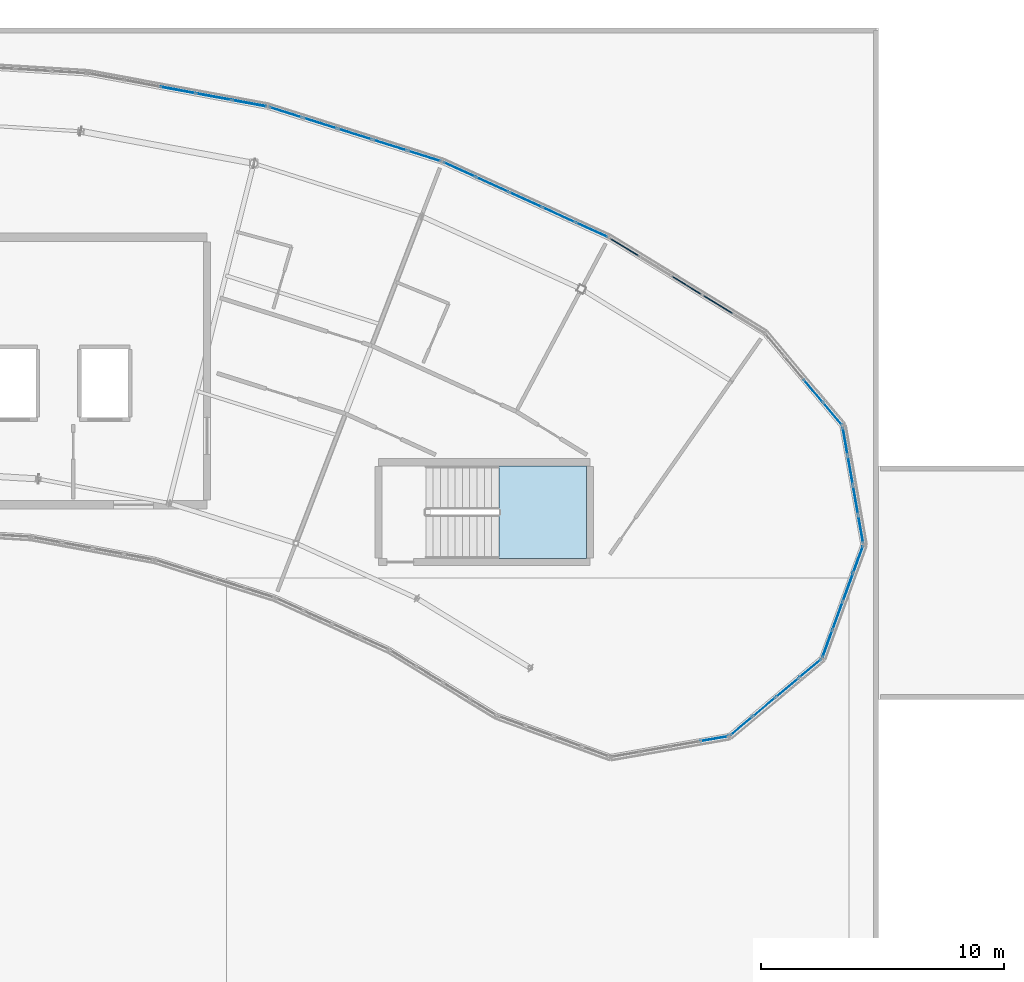
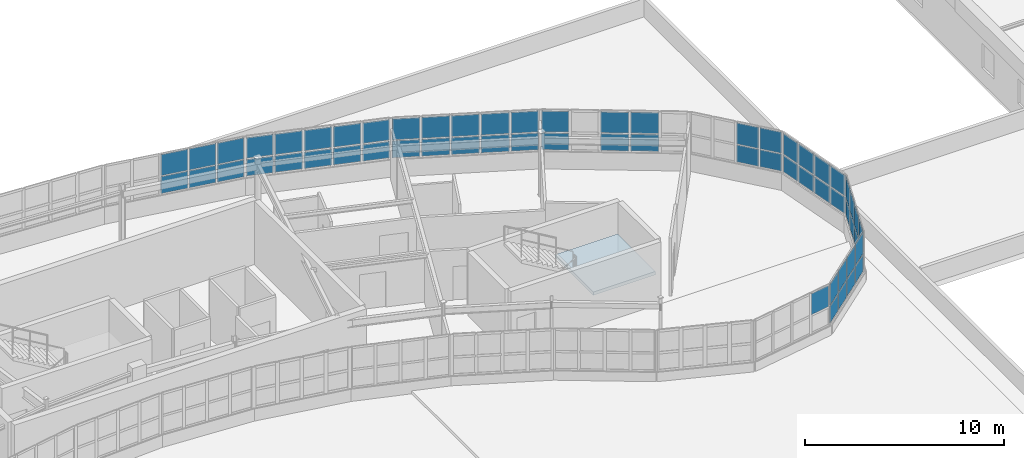
# One storey, part 78 of 128: 61 plates, 1 slab, 10 elements without a shape of their own.
"""IFC4 building model written with IfcOpenShell, lengths in metres."""

from ifc_helpers import new_model, si_unit, direction, frame, origin, origin_2d, place, context, subcontext, project, spatial, polyline, rectangle, outline, extrude, material, layer, layer_set, type_object, element, aggregate, save


model = new_model("IFC4")

# Units and contexts
model_context = context("Model", 3, precision=1e-05, world=origin(), true_north=direction((0.0, 1.0)))
body_context = subcontext(model_context, "Body", "Model", "MODEL_VIEW")
ifc_project = project(units=[si_unit("LENGTHUNIT", "METRE"), si_unit("AREAUNIT", "SQUARE_METRE"), si_unit("VOLUMEUNIT", "CUBIC_METRE"), si_unit("PLANEANGLEUNIT", "RADIAN"), si_unit("MASSUNIT", "GRAM", prefix="KILO")], contexts=[model_context])

# Site, building, storey
site_placement = place(None, origin())
site = spatial("IfcSite", under=ifc_project, at=site_placement, CompositionType="ELEMENT")
building_placement = place(site_placement, origin())
building = spatial("IfcBuilding", under=site, at=building_placement, Name="Tarnwether General Hospital", CompositionType="ELEMENT")
storey_placement = place(building_placement, frame((0.0, 0.0, 14.39990234375)))
storey = spatial("IfcBuildingStorey", under=building, at=storey_placement, Name="L03", CompositionType="ELEMENT", Elevation=14.39990234375)

# Curtain wall, plate
ifc_material_1 = material(Name="Anodised aluminium", Category="aluminium")
ifc_layer_1 = layer(ifc_material_1, 0.159912109375)
ifc_layer_set_1 = layer_set([ifc_layer_1], Name="Anodised aluminium")
curtain_wall_type_1 = type_object("IfcCurtainWallType", Name="CW-03", PredefinedType="NOTDEFINED", material=ifc_layer_set_1)
curtain_wall_1_placement = place(storey_placement, origin())
curtain_wall_1 = element("IfcCurtainWall", 1, at=curtain_wall_1_placement, inside=storey, type_object=curtain_wall_type_1, Name="Curtain Wall CWG-L03-1259_969-0017", PredefinedType="NOTDEFINED")
ifc_material_2 = material(Name="Double glazed low-E glass", Category="glass")
ifc_layer_2 = layer(ifc_material_2, 0.028076171875)
ifc_layer_set_2 = layer_set([ifc_layer_2], Name="Double glazed low-E glass")
plate_type_1 = type_object("IfcPlateType", Name="PT-CWP1", PredefinedType="CURTAIN_PANEL", material=ifc_layer_set_2)
plate_1_placement = place(storey_placement, frame((125.256591796875, 96.784423828125, 2.20947265625), z_axis=(0.0, 0.0, 1.0), x_axis=(-0.984805834268, -0.173659059054, 0.0)))
plate_1 = element("IfcPlate", 2, at=plate_1_placement, type_object=plate_type_1, Name="CW-03 panel 1.2", PredefinedType="CURTAIN_PANEL", context=body_context, shape_type="SweptSolid", body=[
    extrude(rectangle(XDim=1.15234375, YDim=0.028076171875, at=origin_2d()), origin(), (0.0, 0.0, 1.0), 1.29052734375),
])
aggregate(curtain_wall_1, [plate_1])

# Curtain wall, plates
curtain_wall_2_placement = place(storey_placement, origin())
curtain_wall_2 = element("IfcCurtainWall", 3, at=curtain_wall_2_placement, inside=storey, type_object=curtain_wall_type_1, Name="Curtain Wall CWG-L03-1297_1001-0018", PredefinedType="NOTDEFINED")
plate_2_placement = place(storey_placement, frame((129.20068359375, 99.679443359375, 1.1201171875), z_axis=(0.0, 0.0, 1.0), x_axis=(-0.765990176896, -0.64285227611, 0.0)))
plate_2 = element("IfcPlate", 4, at=plate_2_placement, type_object=plate_type_1, Name="CW-03 panel 1.1", PredefinedType="CURTAIN_PANEL", context=body_context, shape_type="SweptSolid", body=[
    extrude(rectangle(XDim=1.137451171875, YDim=0.028076171875, at=origin_2d()), origin(), (0.0, 0.0, 1.0), 1.0244140625),
])
plate_3_placement = place(storey_placement, frame((129.20068359375, 99.679443359375, 2.214599609375), z_axis=(0.0, 0.0, 1.0), x_axis=(-0.765990176896, -0.64285227611, 0.0)))
plate_3 = element("IfcPlate", 5, at=plate_3_placement, type_object=plate_type_1, Name="CW-03 panel 1.2", PredefinedType="CURTAIN_PANEL", context=body_context, shape_type="SweptSolid", body=[
    extrude(rectangle(XDim=1.137451171875, YDim=0.028076171875, at=origin_2d()), origin(), (0.0, 0.0, 1.0), 1.275390625),
])
plate_4_placement = place(storey_placement, frame((128.262451171875, 98.891845703125, 1.1201171875), z_axis=(0.0, 0.0, 1.0), x_axis=(-0.765990176896, -0.64285227611, 0.0)))
plate_4 = element("IfcPlate", 6, at=plate_4_placement, type_object=plate_type_1, Name="CW-03 panel 2.1", PredefinedType="CURTAIN_PANEL", context=body_context, shape_type="SweptSolid", body=[
    extrude(rectangle(XDim=1.172607421875, YDim=0.028076171875, at=origin_2d()), origin(), (0.0, 0.0, 1.0), 1.0244140625),
])
plate_5_placement = place(storey_placement, frame((128.262451171875, 98.891845703125, 2.214599609375), z_axis=(0.0, 0.0, 1.0), x_axis=(-0.765990176896, -0.64285227611, 0.0)))
plate_5 = element("IfcPlate", 7, at=plate_5_placement, type_object=plate_type_1, Name="CW-03 panel 2.2", PredefinedType="CURTAIN_PANEL", context=body_context, shape_type="SweptSolid", body=[
    extrude(rectangle(XDim=1.172607421875, YDim=0.028076171875, at=origin_2d()), origin(), (0.0, 0.0, 1.0), 1.275390625),
])
plate_6_placement = place(storey_placement, frame((127.310546875, 98.093017578125, 1.1201171875), z_axis=(0.0, 0.0, 1.0), x_axis=(-0.765990176896, -0.64285227611, 0.0)))
plate_6 = element("IfcPlate", 8, at=plate_6_placement, type_object=plate_type_1, Name="CW-03 panel 3.1", PredefinedType="CURTAIN_PANEL", context=body_context, shape_type="SweptSolid", body=[
    extrude(rectangle(XDim=1.172607421875, YDim=0.028076171875, at=origin_2d()), origin(), (0.0, 0.0, 1.0), 1.0244140625),
])
plate_7_placement = place(storey_placement, frame((127.310546875, 98.093017578125, 2.214599609375), z_axis=(0.0, 0.0, 1.0), x_axis=(-0.765990176896, -0.64285227611, 0.0)))
plate_7 = element("IfcPlate", 9, at=plate_7_placement, type_object=plate_type_1, Name="CW-03 panel 3.2", PredefinedType="CURTAIN_PANEL", context=body_context, shape_type="SweptSolid", body=[
    extrude(rectangle(XDim=1.172607421875, YDim=0.028076171875, at=origin_2d()), origin(), (0.0, 0.0, 1.0), 1.275390625),
])
plate_8_placement = place(storey_placement, frame((126.372314453125, 97.3056640625, 1.1201171875), z_axis=(0.0, 0.0, 1.0), x_axis=(-0.765990176896, -0.64285227611, 0.0)))
plate_8 = element("IfcPlate", 10, at=plate_8_placement, type_object=plate_type_1, Name="CW-03 panel 4.1", PredefinedType="CURTAIN_PANEL", context=body_context, shape_type="SweptSolid", body=[
    extrude(rectangle(XDim=1.137451171875, YDim=0.028076171875, at=origin_2d()), origin(), (0.0, 0.0, 1.0), 1.0244140625),
])
plate_9_placement = place(storey_placement, frame((126.372314453125, 97.3056640625, 2.214599609375), z_axis=(0.0, 0.0, 1.0), x_axis=(-0.765990176896, -0.64285227611, 0.0)))
plate_9 = element("IfcPlate", 11, at=plate_9_placement, type_object=plate_type_1, Name="CW-03 panel 4.2", PredefinedType="CURTAIN_PANEL", context=body_context, shape_type="SweptSolid", body=[
    extrude(rectangle(XDim=1.137451171875, YDim=0.028076171875, at=origin_2d()), origin(), (0.0, 0.0, 1.0), 1.275390625),
])
aggregate(curtain_wall_2, [plate_2, plate_3, plate_4, plate_5, plate_6, plate_7, plate_8, plate_9])

curtain_wall_3_placement = place(storey_placement, origin())
curtain_wall_3 = element("IfcCurtainWall", 12, at=curtain_wall_3_placement, inside=storey, type_object=curtain_wall_type_1, Name="Curtain Wall CWG-L03-1305_1097-0020", PredefinedType="NOTDEFINED")
plate_10_placement = place(storey_placement, frame((130.63818359375, 109.021484375, 1.1298828125), z_axis=(0.0, 0.0, 1.0), x_axis=(0.173463890135, -0.984840230098, 0.0)))
plate_10 = element("IfcPlate", 13, at=plate_10_placement, type_object=plate_type_1, Name="CW-03 panel 1.1", PredefinedType="CURTAIN_PANEL", context=body_context, shape_type="SweptSolid", body=[
    extrude(rectangle(XDim=1.122314453125, YDim=0.028076171875, at=origin_2d()), origin(), (0.0, 0.0, 1.0), 1.009521484375),
])
plate_11_placement = place(storey_placement, frame((130.63818359375, 109.021484375, 2.2197265625), z_axis=(0.0, 0.0, 1.0), x_axis=(0.173463890135, -0.984840230098, 0.0)))
plate_11 = element("IfcPlate", 14, at=plate_11_placement, type_object=plate_type_1, Name="CW-03 panel 1.2", PredefinedType="CURTAIN_PANEL", context=body_context, shape_type="SweptSolid", body=[
    extrude(rectangle(XDim=1.122314453125, YDim=0.028076171875, at=origin_2d()), origin(), (0.0, 0.0, 1.0), 1.260498046875),
])
plate_12_placement = place(storey_placement, frame((130.850341796875, 107.81787109375, 1.1298828125), z_axis=(0.0, 0.0, 1.0), x_axis=(0.173463890135, -0.984840230098, 0.0)))
plate_12 = element("IfcPlate", 15, at=plate_12_placement, type_object=plate_type_1, Name="CW-03 panel 2.1", PredefinedType="CURTAIN_PANEL", context=body_context, shape_type="SweptSolid", body=[
    extrude(rectangle(XDim=1.162353515625, YDim=0.028076171875, at=origin_2d()), origin(), (0.0, 0.0, 1.0), 1.009521484375),
])
plate_13_placement = place(storey_placement, frame((130.850341796875, 107.81787109375, 2.2197265625), z_axis=(0.0, 0.0, 1.0), x_axis=(0.173463890135, -0.984840230098, 0.0)))
plate_13 = element("IfcPlate", 16, at=plate_13_placement, type_object=plate_type_1, Name="CW-03 panel 2.2", PredefinedType="CURTAIN_PANEL", context=body_context, shape_type="SweptSolid", body=[
    extrude(rectangle(XDim=1.162353515625, YDim=0.028076171875, at=origin_2d()), origin(), (0.0, 0.0, 1.0), 1.260498046875),
])
plate_14_placement = place(storey_placement, frame((131.065673828125, 106.59423828125, 1.1298828125), z_axis=(0.0, 0.0, 1.0), x_axis=(0.173463890135, -0.984840230098, 0.0)))
plate_14 = element("IfcPlate", 17, at=plate_14_placement, type_object=plate_type_1, Name="CW-03 panel 3.1", PredefinedType="CURTAIN_PANEL", context=body_context, shape_type="SweptSolid", body=[
    extrude(rectangle(XDim=1.162353515625, YDim=0.028076171875, at=origin_2d()), origin(), (0.0, 0.0, 1.0), 1.009521484375),
])
plate_15_placement = place(storey_placement, frame((131.065673828125, 106.59423828125, 2.2197265625), z_axis=(0.0, 0.0, 1.0), x_axis=(0.173463890135, -0.984840230098, 0.0)))
plate_15 = element("IfcPlate", 18, at=plate_15_placement, type_object=plate_type_1, Name="CW-03 panel 3.2", PredefinedType="CURTAIN_PANEL", context=body_context, shape_type="SweptSolid", body=[
    extrude(rectangle(XDim=1.162353515625, YDim=0.028076171875, at=origin_2d()), origin(), (0.0, 0.0, 1.0), 1.260498046875),
])
plate_16_placement = place(storey_placement, frame((131.27783203125, 105.390380859375, 1.1298828125), z_axis=(0.0, 0.0, 1.0), x_axis=(0.173463890135, -0.984840230098, 0.0)))
plate_16 = element("IfcPlate", 19, at=plate_16_placement, type_object=plate_type_1, Name="CW-03 panel 4.1", PredefinedType="CURTAIN_PANEL", context=body_context, shape_type="SweptSolid", body=[
    extrude(rectangle(XDim=1.122314453125, YDim=0.028076171875, at=origin_2d()), origin(), (0.0, 0.0, 1.0), 1.009521484375),
])
plate_17_placement = place(storey_placement, frame((131.27783203125, 105.390380859375, 2.2197265625), z_axis=(0.0, 0.0, 1.0), x_axis=(0.173463890135, -0.984840230098, 0.0)))
plate_17 = element("IfcPlate", 20, at=plate_17_placement, type_object=plate_type_1, Name="CW-03 panel 4.2", PredefinedType="CURTAIN_PANEL", context=body_context, shape_type="SweptSolid", body=[
    extrude(rectangle(XDim=1.122314453125, YDim=0.028076171875, at=origin_2d()), origin(), (0.0, 0.0, 1.0), 1.260498046875),
])
aggregate(curtain_wall_3, [plate_10, plate_11, plate_12, plate_13, plate_14, plate_15, plate_16, plate_17])

curtain_wall_4_placement = place(storey_placement, origin())
curtain_wall_4 = element("IfcCurtainWall", 21, at=curtain_wall_4_placement, inside=storey, type_object=curtain_wall_type_1, Name="Curtain Wall CWG-L03-1273_1135-0021", PredefinedType="NOTDEFINED")
plate_18_placement = place(storey_placement, frame((129.328857421875, 111.08056640625, 1.110107421875), z_axis=(0.0, 0.0, 1.0), x_axis=(0.64285227611, -0.765990176896, 0.0)))
plate_18 = element("IfcPlate", 22, at=plate_18_placement, type_object=plate_type_1, Name="CW-03 panel 3.1", PredefinedType="CURTAIN_PANEL", context=body_context, shape_type="SweptSolid", body=[
    extrude(rectangle(XDim=1.1826171875, YDim=0.028076171875, at=origin_2d()), origin(), (0.0, 0.0, 1.0), 1.03955078125),
])
plate_19_placement = place(storey_placement, frame((129.328857421875, 111.08056640625, 2.20947265625), z_axis=(0.0, 0.0, 1.0), x_axis=(0.64285227611, -0.765990176896, 0.0)))
plate_19 = element("IfcPlate", 23, at=plate_19_placement, type_object=plate_type_1, Name="CW-03 panel 3.2", PredefinedType="CURTAIN_PANEL", context=body_context, shape_type="SweptSolid", body=[
    extrude(rectangle(XDim=1.1826171875, YDim=0.028076171875, at=origin_2d()), origin(), (0.0, 0.0, 1.0), 1.29052734375),
])
plate_20_placement = place(storey_placement, frame((130.117919921875, 110.140380859375, 1.110107421875), z_axis=(0.0, 0.0, 1.0), x_axis=(0.64285227611, -0.765990176896, 0.0)))
plate_20 = element("IfcPlate", 24, at=plate_20_placement, type_object=plate_type_1, Name="CW-03 panel 4.1", PredefinedType="CURTAIN_PANEL", context=body_context, shape_type="SweptSolid", body=[
    extrude(rectangle(XDim=1.152587890625, YDim=0.028076171875, at=origin_2d()), origin(), (0.0, 0.0, 1.0), 1.03955078125),
])
plate_21_placement = place(storey_placement, frame((130.117919921875, 110.140380859375, 2.20947265625), z_axis=(0.0, 0.0, 1.0), x_axis=(0.64285227611, -0.765990176896, 0.0)))
plate_21 = element("IfcPlate", 25, at=plate_21_placement, type_object=plate_type_1, Name="CW-03 panel 4.2", PredefinedType="CURTAIN_PANEL", context=body_context, shape_type="SweptSolid", body=[
    extrude(rectangle(XDim=1.152587890625, YDim=0.028076171875, at=origin_2d()), origin(), (0.0, 0.0, 1.0), 1.29052734375),
])
aggregate(curtain_wall_4, [plate_18, plate_19, plate_20, plate_21])

ifc_material_3 = material(Name="Anodised aluminium", Category="aluminium")
ifc_layer_3 = layer(ifc_material_3, 0.159912109375)
ifc_layer_set_3 = layer_set([ifc_layer_3], Name="Anodised aluminium")
curtain_wall_type_2 = type_object("IfcCurtainWallType", Name="CW-01", PredefinedType="NOTDEFINED", material=ifc_layer_set_3)
curtain_wall_5_placement = place(storey_placement, origin())
curtain_wall_5 = element("IfcCurtainWall", 26, at=curtain_wall_5_placement, inside=storey, type_object=curtain_wall_type_2, Name="Curtain Wall CWG-L03-1141_1205-0023", PredefinedType="NOTDEFINED")
plate_22_placement = place(storey_placement, frame((114.774169921875, 120.1904296875, 1.115234375), z_axis=(0.0, 0.0, 1.0), x_axis=(0.909960793886, -0.414694289316, 0.0)))
plate_22 = element("IfcPlate", 27, at=plate_22_placement, type_object=plate_type_1, Name="CW-01 panel 1.1", PredefinedType="CURTAIN_PANEL", context=body_context, shape_type="SweptSolid", body=[
    extrude(rectangle(XDim=1.40673828125, YDim=0.028076171875, at=origin_2d()), origin(), (0.0, 0.0, 1.0), 1.031982421875),
])
plate_23_placement = place(storey_placement, frame((114.774169921875, 120.1904296875, 2.2119140625), z_axis=(0.0, 0.0, 1.0), x_axis=(0.909960793886, -0.414694289316, 0.0)))
plate_23 = element("IfcPlate", 28, at=plate_23_placement, type_object=plate_type_1, Name="CW-01 panel 1.2", PredefinedType="CURTAIN_PANEL", context=body_context, shape_type="SweptSolid", body=[
    extrude(rectangle(XDim=1.40673828125, YDim=0.028076171875, at=origin_2d()), origin(), (0.0, 0.0, 1.0), 1.282958984375),
])
plate_24_placement = place(storey_placement, frame((116.128173828125, 119.5732421875, 1.115234375), z_axis=(0.0, 0.0, 1.0), x_axis=(0.909960793886, -0.414694289316, 0.0)))
plate_24 = element("IfcPlate", 29, at=plate_24_placement, type_object=plate_type_1, Name="CW-01 panel 2.1", PredefinedType="CURTAIN_PANEL", context=body_context, shape_type="SweptSolid", body=[
    extrude(rectangle(XDim=1.439208984375, YDim=0.028076171875, at=origin_2d()), origin(), (0.0, 0.0, 1.0), 1.031982421875),
])
plate_25_placement = place(storey_placement, frame((116.128173828125, 119.5732421875, 2.2119140625), z_axis=(0.0, 0.0, 1.0), x_axis=(0.909960793886, -0.414694289316, 0.0)))
plate_25 = element("IfcPlate", 30, at=plate_25_placement, type_object=plate_type_1, Name="CW-01 panel 2.2", PredefinedType="CURTAIN_PANEL", context=body_context, shape_type="SweptSolid", body=[
    extrude(rectangle(XDim=1.439208984375, YDim=0.028076171875, at=origin_2d()), origin(), (0.0, 0.0, 1.0), 1.282958984375),
])
plate_26_placement = place(storey_placement, frame((117.4970703125, 118.949462890625, 1.115234375), z_axis=(0.0, 0.0, 1.0), x_axis=(0.909960793886, -0.414694289316, 0.0)))
plate_26 = element("IfcPlate", 31, at=plate_26_placement, type_object=plate_type_1, Name="CW-01 panel 3.1", PredefinedType="CURTAIN_PANEL", context=body_context, shape_type="SweptSolid", body=[
    extrude(rectangle(XDim=1.439208984375, YDim=0.028076171875, at=origin_2d()), origin(), (0.0, 0.0, 1.0), 1.031982421875),
])
plate_27_placement = place(storey_placement, frame((117.4970703125, 118.949462890625, 2.2119140625), z_axis=(0.0, 0.0, 1.0), x_axis=(0.909960793886, -0.414694289316, 0.0)))
plate_27 = element("IfcPlate", 32, at=plate_27_placement, type_object=plate_type_1, Name="CW-01 panel 3.2", PredefinedType="CURTAIN_PANEL", context=body_context, shape_type="SweptSolid", body=[
    extrude(rectangle(XDim=1.439208984375, YDim=0.028076171875, at=origin_2d()), origin(), (0.0, 0.0, 1.0), 1.282958984375),
])
plate_28_placement = place(storey_placement, frame((118.86572265625, 118.32568359375, 1.115234375), z_axis=(0.0, 0.0, 1.0), x_axis=(0.909960793886, -0.414694289316, 0.0)))
plate_28 = element("IfcPlate", 33, at=plate_28_placement, type_object=plate_type_1, Name="CW-01 panel 4.1", PredefinedType="CURTAIN_PANEL", context=body_context, shape_type="SweptSolid", body=[
    extrude(rectangle(XDim=1.439208984375, YDim=0.028076171875, at=origin_2d()), origin(), (0.0, 0.0, 1.0), 1.031982421875),
])
plate_29_placement = place(storey_placement, frame((118.86572265625, 118.32568359375, 2.2119140625), z_axis=(0.0, 0.0, 1.0), x_axis=(0.909960793886, -0.414694289316, 0.0)))
plate_29 = element("IfcPlate", 34, at=plate_29_placement, type_object=plate_type_1, Name="CW-01 panel 4.2", PredefinedType="CURTAIN_PANEL", context=body_context, shape_type="SweptSolid", body=[
    extrude(rectangle(XDim=1.439208984375, YDim=0.028076171875, at=origin_2d()), origin(), (0.0, 0.0, 1.0), 1.282958984375),
])
plate_30_placement = place(storey_placement, frame((120.2197265625, 117.708740234375, 1.115234375), z_axis=(0.0, 0.0, 1.0), x_axis=(0.909960793886, -0.414694289316, 0.0)))
plate_30 = element("IfcPlate", 35, at=plate_30_placement, type_object=plate_type_1, Name="CW-01 panel 5.1", PredefinedType="CURTAIN_PANEL", context=body_context, shape_type="SweptSolid", body=[
    extrude(rectangle(XDim=1.40673828125, YDim=0.028076171875, at=origin_2d()), origin(), (0.0, 0.0, 1.0), 1.031982421875),
])
plate_31_placement = place(storey_placement, frame((120.2197265625, 117.708740234375, 2.2119140625), z_axis=(0.0, 0.0, 1.0), x_axis=(0.909960793886, -0.414694289316, 0.0)))
plate_31 = element("IfcPlate", 36, at=plate_31_placement, type_object=plate_type_1, Name="CW-01 panel 5.2", PredefinedType="CURTAIN_PANEL", context=body_context, shape_type="SweptSolid", body=[
    extrude(rectangle(XDim=1.40673828125, YDim=0.028076171875, at=origin_2d()), origin(), (0.0, 0.0, 1.0), 1.282958984375),
])
aggregate(curtain_wall_5, [plate_22, plate_23, plate_24, plate_25, plate_26, plate_27, plate_28, plate_29, plate_30, plate_31])

curtain_wall_6_placement = place(storey_placement, origin())
curtain_wall_6 = element("IfcCurtainWall", 37, at=curtain_wall_6_placement, inside=storey, type_object=curtain_wall_type_2, Name="Curtain Wall CWG-L03-1069_1228-0024", PredefinedType="NOTDEFINED")
plate_32_placement = place(storey_placement, frame((107.638427734375, 122.537841796875, 1.1298828125), z_axis=(0.0, 0.0, 1.0), x_axis=(0.953741284032, -0.300628613299, 0.0)))
plate_32 = element("IfcPlate", 38, at=plate_32_placement, type_object=plate_type_1, Name="CW-01 panel 1.1", PredefinedType="CURTAIN_PANEL", context=body_context, shape_type="SweptSolid", body=[
    extrude(rectangle(XDim=1.38427734375, YDim=0.028076171875, at=origin_2d()), origin(), (0.0, 0.0, 1.0), 1.009521484375),
])
plate_33_placement = place(storey_placement, frame((107.638427734375, 122.537841796875, 2.2197265625), z_axis=(0.0, 0.0, 1.0), x_axis=(0.953741284032, -0.300628613299, 0.0)))
plate_33 = element("IfcPlate", 39, at=plate_33_placement, type_object=plate_type_1, Name="CW-01 panel 1.2", PredefinedType="CURTAIN_PANEL", context=body_context, shape_type="SweptSolid", body=[
    extrude(rectangle(XDim=1.38427734375, YDim=0.028076171875, at=origin_2d()), origin(), (0.0, 0.0, 1.0), 1.260498046875),
])
plate_34_placement = place(storey_placement, frame((109.053955078125, 122.091796875, 1.1298828125), z_axis=(0.0, 0.0, 1.0), x_axis=(0.953741284032, -0.300628613299, 0.0)))
plate_34 = element("IfcPlate", 40, at=plate_34_placement, type_object=plate_type_1, Name="CW-01 panel 2.1", PredefinedType="CURTAIN_PANEL", context=body_context, shape_type="SweptSolid", body=[
    extrude(rectangle(XDim=1.424072265625, YDim=0.028076171875, at=origin_2d()), origin(), (0.0, 0.0, 1.0), 1.009521484375),
])
plate_35_placement = place(storey_placement, frame((109.053955078125, 122.091796875, 2.2197265625), z_axis=(0.0, 0.0, 1.0), x_axis=(0.953741284032, -0.300628613299, 0.0)))
plate_35 = element("IfcPlate", 41, at=plate_35_placement, type_object=plate_type_1, Name="CW-01 panel 2.2", PredefinedType="CURTAIN_PANEL", context=body_context, shape_type="SweptSolid", body=[
    extrude(rectangle(XDim=1.424072265625, YDim=0.028076171875, at=origin_2d()), origin(), (0.0, 0.0, 1.0), 1.260498046875),
])
plate_36_placement = place(storey_placement, frame((110.488525390625, 121.639404296875, 1.1298828125), z_axis=(0.0, 0.0, 1.0), x_axis=(0.953741284032, -0.300628613299, 0.0)))
plate_36 = element("IfcPlate", 42, at=plate_36_placement, type_object=plate_type_1, Name="CW-01 panel 3.1", PredefinedType="CURTAIN_PANEL", context=body_context, shape_type="SweptSolid", body=[
    extrude(rectangle(XDim=1.424072265625, YDim=0.028076171875, at=origin_2d()), origin(), (0.0, 0.0, 1.0), 1.009521484375),
])
plate_37_placement = place(storey_placement, frame((110.488525390625, 121.639404296875, 2.2197265625), z_axis=(0.0, 0.0, 1.0), x_axis=(0.953741284032, -0.300628613299, 0.0)))
plate_37 = element("IfcPlate", 43, at=plate_37_placement, type_object=plate_type_1, Name="CW-01 panel 3.2", PredefinedType="CURTAIN_PANEL", context=body_context, shape_type="SweptSolid", body=[
    extrude(rectangle(XDim=1.424072265625, YDim=0.028076171875, at=origin_2d()), origin(), (0.0, 0.0, 1.0), 1.260498046875),
])
plate_38_placement = place(storey_placement, frame((111.923095703125, 121.187255859375, 1.1298828125), z_axis=(0.0, 0.0, 1.0), x_axis=(0.953741284032, -0.300628613299, 0.0)))
plate_38 = element("IfcPlate", 44, at=plate_38_placement, type_object=plate_type_1, Name="CW-01 panel 4.1", PredefinedType="CURTAIN_PANEL", context=body_context, shape_type="SweptSolid", body=[
    extrude(rectangle(XDim=1.424072265625, YDim=0.028076171875, at=origin_2d()), origin(), (0.0, 0.0, 1.0), 1.009521484375),
])
plate_39_placement = place(storey_placement, frame((111.923095703125, 121.187255859375, 2.2197265625), z_axis=(0.0, 0.0, 1.0), x_axis=(0.953741284032, -0.300628613299, 0.0)))
plate_39 = element("IfcPlate", 45, at=plate_39_placement, type_object=plate_type_1, Name="CW-01 panel 4.2", PredefinedType="CURTAIN_PANEL", context=body_context, shape_type="SweptSolid", body=[
    extrude(rectangle(XDim=1.424072265625, YDim=0.028076171875, at=origin_2d()), origin(), (0.0, 0.0, 1.0), 1.260498046875),
])
plate_40_placement = place(storey_placement, frame((113.338623046875, 120.7412109375, 1.1298828125), z_axis=(0.0, 0.0, 1.0), x_axis=(0.953741284032, -0.300628613299, 0.0)))
plate_40 = element("IfcPlate", 46, at=plate_40_placement, type_object=plate_type_1, Name="CW-01 panel 5.1", PredefinedType="CURTAIN_PANEL", context=body_context, shape_type="SweptSolid", body=[
    extrude(rectangle(XDim=1.38427734375, YDim=0.028076171875, at=origin_2d()), origin(), (0.0, 0.0, 1.0), 1.009521484375),
])
plate_41_placement = place(storey_placement, frame((113.338623046875, 120.7412109375, 2.2197265625), z_axis=(0.0, 0.0, 1.0), x_axis=(0.953741284032, -0.300628613299, 0.0)))
plate_41 = element("IfcPlate", 47, at=plate_41_placement, type_object=plate_type_1, Name="CW-01 panel 5.2", PredefinedType="CURTAIN_PANEL", context=body_context, shape_type="SweptSolid", body=[
    extrude(rectangle(XDim=1.38427734375, YDim=0.028076171875, at=origin_2d()), origin(), (0.0, 0.0, 1.0), 1.260498046875),
])
aggregate(curtain_wall_6, [plate_32, plate_33, plate_34, plate_35, plate_36, plate_37, plate_38, plate_39, plate_40, plate_41])

curtain_wall_7_placement = place(storey_placement, origin())
curtain_wall_7 = element("IfcCurtainWall", 48, at=curtain_wall_7_placement, inside=storey, type_object=curtain_wall_type_1, Name="Curtain Wall CWG-L03-1314_1048-0019", PredefinedType="NOTDEFINED")
ifc_material_4 = material(Name="Double glazed low-E glass", Category="glass")
ifc_layer_4 = layer(ifc_material_4, 0.035888671875)
ifc_layer_set_4 = layer_set([ifc_layer_4], Name="Double glazed low-E glass")
plate_type_2 = type_object("IfcPlateType", Name="PT-CWP2", PredefinedType="CURTAIN_PANEL", material=ifc_layer_set_4)
plate_42_placement = place(storey_placement, frame((131.171142578125, 104.16015625, 1.115234375), z_axis=(0.0, 0.0, 1.0), x_axis=(-0.341953136469, -0.939717006582, 0.0)))
plate_42 = element("IfcPlate", 49, at=plate_42_placement, type_object=plate_type_2, Name="CW-03 panel 1.1", PredefinedType="CURTAIN_PANEL", context=body_context, shape_type="SweptSolid", body=[
    extrude(rectangle(XDim=1.14453125, YDim=0.035888671875, at=origin_2d()), origin(), (0.0, 0.0, 1.0), 1.031982421875),
])
plate_43_placement = place(storey_placement, frame((131.171142578125, 104.16015625, 2.2119140625), z_axis=(0.0, 0.0, 1.0), x_axis=(-0.341953136469, -0.939717006582, 0.0)))
plate_43 = element("IfcPlate", 50, at=plate_43_placement, type_object=plate_type_2, Name="CW-03 panel 1.2", PredefinedType="CURTAIN_PANEL", context=body_context, shape_type="SweptSolid", body=[
    extrude(rectangle(XDim=1.14453125, YDim=0.035888671875, at=origin_2d()), origin(), (0.0, 0.0, 1.0), 1.282958984375),
])
plate_44_placement = place(storey_placement, frame((130.751953125, 103.008056640625, 1.115234375), z_axis=(0.0, 0.0, 1.0), x_axis=(-0.341953136469, -0.939717006582, 0.0)))
plate_44 = element("IfcPlate", 51, at=plate_44_placement, type_object=plate_type_2, Name="CW-03 panel 2.1", PredefinedType="CURTAIN_PANEL", context=body_context, shape_type="SweptSolid", body=[
    extrude(rectangle(XDim=1.17724609375, YDim=0.035888671875, at=origin_2d()), origin(), (0.0, 0.0, 1.0), 1.031982421875),
])
plate_45_placement = place(storey_placement, frame((130.751953125, 103.008056640625, 2.2119140625), z_axis=(0.0, 0.0, 1.0), x_axis=(-0.341953136469, -0.939717006582, 0.0)))
plate_45 = element("IfcPlate", 52, at=plate_45_placement, type_object=plate_type_2, Name="CW-03 panel 2.2", PredefinedType="CURTAIN_PANEL", context=body_context, shape_type="SweptSolid", body=[
    extrude(rectangle(XDim=1.17724609375, YDim=0.035888671875, at=origin_2d()), origin(), (0.0, 0.0, 1.0), 1.282958984375),
])
plate_46_placement = place(storey_placement, frame((130.3271484375, 101.8408203125, 1.115234375), z_axis=(0.0, 0.0, 1.0), x_axis=(-0.341953136469, -0.939717006582, 0.0)))
plate_46 = element("IfcPlate", 53, at=plate_46_placement, type_object=plate_type_2, Name="CW-03 panel 3.1", PredefinedType="CURTAIN_PANEL", context=body_context, shape_type="SweptSolid", body=[
    extrude(rectangle(XDim=1.17724609375, YDim=0.035888671875, at=origin_2d()), origin(), (0.0, 0.0, 1.0), 1.031982421875),
])
plate_47_placement = place(storey_placement, frame((130.3271484375, 101.8408203125, 2.2119140625), z_axis=(0.0, 0.0, 1.0), x_axis=(-0.341953136469, -0.939717006582, 0.0)))
plate_47 = element("IfcPlate", 54, at=plate_47_placement, type_object=plate_type_2, Name="CW-03 panel 3.2", PredefinedType="CURTAIN_PANEL", context=body_context, shape_type="SweptSolid", body=[
    extrude(rectangle(XDim=1.17724609375, YDim=0.035888671875, at=origin_2d()), origin(), (0.0, 0.0, 1.0), 1.282958984375),
])
plate_48_placement = place(storey_placement, frame((129.907958984375, 100.68896484375, 1.115234375), z_axis=(0.0, 0.0, 1.0), x_axis=(-0.341953136469, -0.939717006582, 0.0)))
plate_48 = element("IfcPlate", 55, at=plate_48_placement, type_object=plate_type_2, Name="CW-03 panel 4.1", PredefinedType="CURTAIN_PANEL", context=body_context, shape_type="SweptSolid", body=[
    extrude(rectangle(XDim=1.14453125, YDim=0.035888671875, at=origin_2d()), origin(), (0.0, 0.0, 1.0), 1.031982421875),
])
plate_49_placement = place(storey_placement, frame((129.907958984375, 100.68896484375, 2.2119140625), z_axis=(0.0, 0.0, 1.0), x_axis=(-0.341953136469, -0.939717006582, 0.0)))
plate_49 = element("IfcPlate", 56, at=plate_49_placement, type_object=plate_type_2, Name="CW-03 panel 4.2", PredefinedType="CURTAIN_PANEL", context=body_context, shape_type="SweptSolid", body=[
    extrude(rectangle(XDim=1.14453125, YDim=0.035888671875, at=origin_2d()), origin(), (0.0, 0.0, 1.0), 1.282958984375),
])
aggregate(curtain_wall_7, [plate_42, plate_43, plate_44, plate_45, plate_46, plate_47, plate_48, plate_49])

curtain_wall_8_placement = place(storey_placement, origin())
curtain_wall_8 = element("IfcCurtainWall", 57, at=curtain_wall_8_placement, inside=storey, type_object=curtain_wall_type_2, Name="Curtain Wall CWG-L03-1209_1174-0022", PredefinedType="NOTDEFINED")
plate_50_placement = place(storey_placement, frame((121.5751953125, 116.98779296875, 1.1201171875), z_axis=(0.0, 0.0, 1.0), x_axis=(0.852633734977, -0.522509056361, 0.0)))
plate_50 = element("IfcPlate", 58, at=plate_50_placement, type_object=plate_type_2, Name="CW-01 panel 1.1", PredefinedType="CURTAIN_PANEL", context=body_context, shape_type="SweptSolid", body=[
    extrude(rectangle(XDim=1.399169921875, YDim=0.035888671875, at=origin_2d()), origin(), (0.0, 0.0, 1.0), 1.0244140625),
])
plate_51_placement = place(storey_placement, frame((121.5751953125, 116.98779296875, 2.214599609375), z_axis=(0.0, 0.0, 1.0), x_axis=(0.852633734977, -0.522509056361, 0.0)))
plate_51 = element("IfcPlate", 59, at=plate_51_placement, type_object=plate_type_2, Name="CW-01 panel 1.2", PredefinedType="CURTAIN_PANEL", context=body_context, shape_type="SweptSolid", body=[
    extrude(rectangle(XDim=1.399169921875, YDim=0.035888671875, at=origin_2d()), origin(), (0.0, 0.0, 1.0), 1.275390625),
])
plate_52_placement = place(storey_placement, frame((124.12548828125, 115.425048828125, 1.1201171875), z_axis=(0.0, 0.0, 1.0), x_axis=(0.852633734977, -0.522509056361, 0.0)))
plate_52 = element("IfcPlate", 60, at=plate_52_placement, type_object=plate_type_2, Name="CW-01 panel 3.1", PredefinedType="CURTAIN_PANEL", context=body_context, shape_type="SweptSolid", body=[
    extrude(rectangle(XDim=1.434326171875, YDim=0.035888671875, at=origin_2d()), origin(), (0.0, 0.0, 1.0), 1.0244140625),
])
plate_53_placement = place(storey_placement, frame((124.12548828125, 115.425048828125, 2.214599609375), z_axis=(0.0, 0.0, 1.0), x_axis=(0.852633734977, -0.522509056361, 0.0)))
plate_53 = element("IfcPlate", 61, at=plate_53_placement, type_object=plate_type_2, Name="CW-01 panel 3.2", PredefinedType="CURTAIN_PANEL", context=body_context, shape_type="SweptSolid", body=[
    extrude(rectangle(XDim=1.434326171875, YDim=0.035888671875, at=origin_2d()), origin(), (0.0, 0.0, 1.0), 1.275390625),
])
plate_54_placement = place(storey_placement, frame((125.408203125, 114.638916015625, 1.1201171875), z_axis=(0.0, 0.0, 1.0), x_axis=(0.852633734977, -0.522509056361, 0.0)))
plate_54 = element("IfcPlate", 62, at=plate_54_placement, type_object=plate_type_2, Name="CW-01 panel 4.1", PredefinedType="CURTAIN_PANEL", context=body_context, shape_type="SweptSolid", body=[
    extrude(rectangle(XDim=1.434326171875, YDim=0.035888671875, at=origin_2d()), origin(), (0.0, 0.0, 1.0), 1.0244140625),
])
plate_55_placement = place(storey_placement, frame((125.408203125, 114.638916015625, 2.214599609375), z_axis=(0.0, 0.0, 1.0), x_axis=(0.852633734977, -0.522509056361, 0.0)))
plate_55 = element("IfcPlate", 63, at=plate_55_placement, type_object=plate_type_2, Name="CW-01 panel 4.2", PredefinedType="CURTAIN_PANEL", context=body_context, shape_type="SweptSolid", body=[
    extrude(rectangle(XDim=1.434326171875, YDim=0.035888671875, at=origin_2d()), origin(), (0.0, 0.0, 1.0), 1.275390625),
])
aggregate(curtain_wall_8, [plate_50, plate_51, plate_52, plate_53, plate_54, plate_55])

curtain_wall_9_placement = place(storey_placement, origin())
curtain_wall_9 = element("IfcCurtainWall", 64, at=curtain_wall_9_placement, inside=storey, type_object=curtain_wall_type_2, Name="Curtain Wall CWG-L03-995_1241-0025", PredefinedType="NOTDEFINED")
plate_56_placement = place(storey_placement, frame((103.20458984375, 123.45556640625, 1.110107421875), z_axis=(0.0, 0.0, 1.0), x_axis=(0.983244953132, -0.182289226614, 0.0)))
plate_56 = element("IfcPlate", 65, at=plate_56_placement, type_object=plate_type_2, Name="CW-01 panel 3.1", PredefinedType="CURTAIN_PANEL", context=body_context, shape_type="SweptSolid", body=[
    extrude(rectangle(XDim=1.444091796875, YDim=0.035888671875, at=origin_2d()), origin(), (0.0, 0.0, 1.0), 1.03955078125),
])
plate_57_placement = place(storey_placement, frame((103.20458984375, 123.45556640625, 2.20947265625), z_axis=(0.0, 0.0, 1.0), x_axis=(0.983244953132, -0.182289226614, 0.0)))
plate_57 = element("IfcPlate", 66, at=plate_57_placement, type_object=plate_type_2, Name="CW-01 panel 3.2", PredefinedType="CURTAIN_PANEL", context=body_context, shape_type="SweptSolid", body=[
    extrude(rectangle(XDim=1.444091796875, YDim=0.035888671875, at=origin_2d()), origin(), (0.0, 0.0, 1.0), 1.29052734375),
])
plate_58_placement = place(storey_placement, frame((104.68359375, 123.181396484375, 1.110107421875), z_axis=(0.0, 0.0, 1.0), x_axis=(0.983244953132, -0.182289226614, 0.0)))
plate_58 = element("IfcPlate", 67, at=plate_58_placement, type_object=plate_type_2, Name="CW-01 panel 4.1", PredefinedType="CURTAIN_PANEL", context=body_context, shape_type="SweptSolid", body=[
    extrude(rectangle(XDim=1.444091796875, YDim=0.035888671875, at=origin_2d()), origin(), (0.0, 0.0, 1.0), 1.03955078125),
])
plate_59_placement = place(storey_placement, frame((104.68359375, 123.181396484375, 2.20947265625), z_axis=(0.0, 0.0, 1.0), x_axis=(0.983244953132, -0.182289226614, 0.0)))
plate_59 = element("IfcPlate", 68, at=plate_59_placement, type_object=plate_type_2, Name="CW-01 panel 4.2", PredefinedType="CURTAIN_PANEL", context=body_context, shape_type="SweptSolid", body=[
    extrude(rectangle(XDim=1.444091796875, YDim=0.035888671875, at=origin_2d()), origin(), (0.0, 0.0, 1.0), 1.29052734375),
])
plate_60_placement = place(storey_placement, frame((106.147705078125, 122.909912109375, 1.110107421875), z_axis=(0.0, 0.0, 1.0), x_axis=(0.983244953132, -0.182289226614, 0.0)))
plate_60 = element("IfcPlate", 69, at=plate_60_placement, type_object=plate_type_2, Name="CW-01 panel 5.1", PredefinedType="CURTAIN_PANEL", context=body_context, shape_type="SweptSolid", body=[
    extrude(rectangle(XDim=1.414306640625, YDim=0.035888671875, at=origin_2d()), origin(), (0.0, 0.0, 1.0), 1.03955078125),
])
plate_61_placement = place(storey_placement, frame((106.147705078125, 122.909912109375, 2.20947265625), z_axis=(0.0, 0.0, 1.0), x_axis=(0.983244953132, -0.182289226614, 0.0)))
plate_61 = element("IfcPlate", 70, at=plate_61_placement, type_object=plate_type_2, Name="CW-01 panel 5.2", PredefinedType="CURTAIN_PANEL", context=body_context, shape_type="SweptSolid", body=[
    extrude(rectangle(XDim=1.414306640625, YDim=0.035888671875, at=origin_2d()), origin(), (0.0, 0.0, 1.0), 1.29052734375),
])
aggregate(curtain_wall_9, [plate_56, plate_57, plate_58, plate_59, plate_60, plate_61])

# Stair, slab
ifc_material_5 = material(Name="Concrete 40 MPa", Category="concrete")
stair_type = type_object("IfcStairType", Name="ST-DL39B", PredefinedType="HALF_TURN_STAIR", material=ifc_material_5)
stair_placement = place(storey_placement, origin())
stair = element("IfcStair", 71, at=stair_placement, inside=storey, type_object=stair_type, Name="L03 Exit Stair ST-08", PredefinedType="HALF_TURN_STAIR")
ifc_material_6 = material(Name="Concrete 40 MPa", Category="concrete")
ifc_layer_5 = layer(ifc_material_6, 0.199951171875)
ifc_layer_set_5 = layer_set([ifc_layer_5], Name="Concrete 40 MPa")
slab_type = type_object("IfcSlabType", Name="SL-LD200", PredefinedType="LANDING", material=ifc_layer_set_5)
slab_placement = place(storey_placement, frame((0.0, 0.0, 1.75)))
slab = element("IfcSlab", 72, at=slab_placement, type_object=slab_type, Name="ST-08 landing 1", PredefinedType="LANDING", context=body_context, shape_type="SweptSolid", body=[
    extrude(outline(polyline([(116.39990234375, 104.199951171875), (120.0, 104.199951171875), (120.0, 108.0), (116.39990234375, 108.0), (116.39990234375, 104.199951171875)])), origin(), (0.0, 0.0, 1.0), 0.2001953125),
])
aggregate(stair, [slab])

save(model, "model.ifc")
